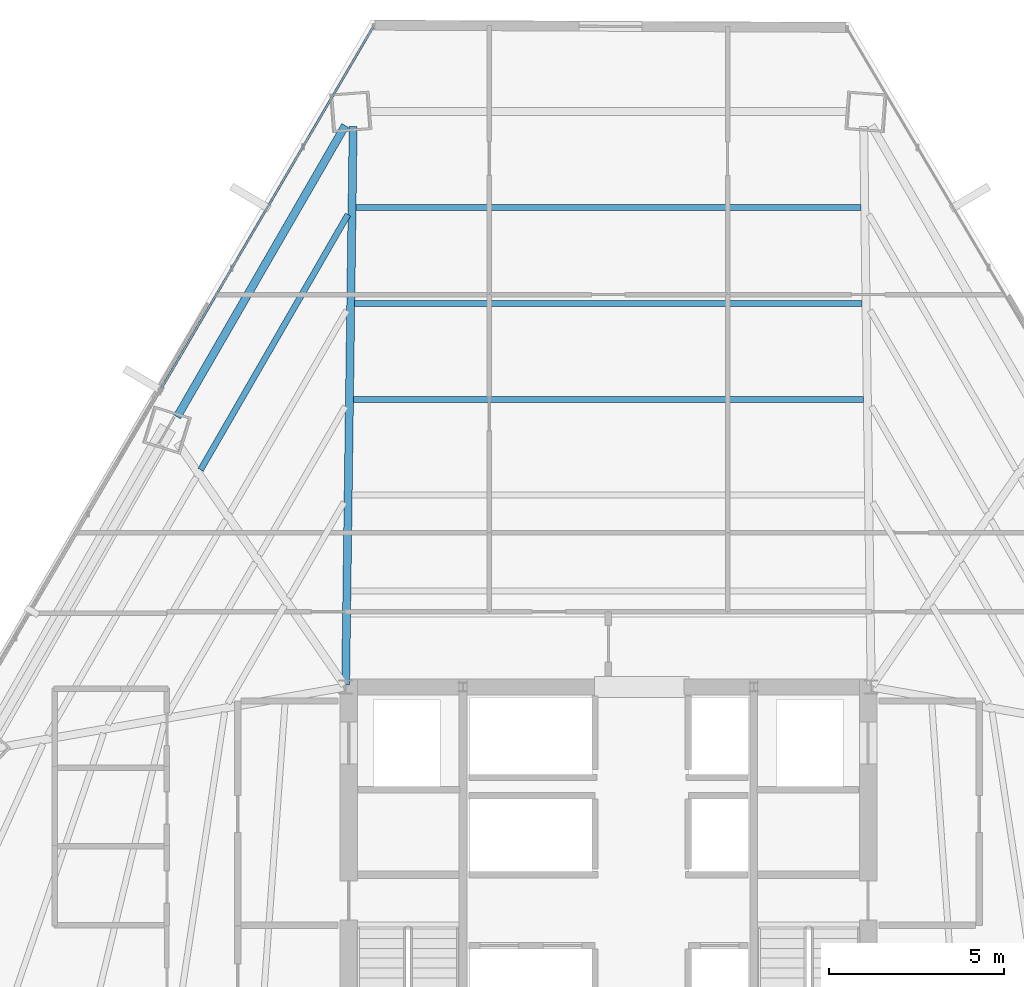
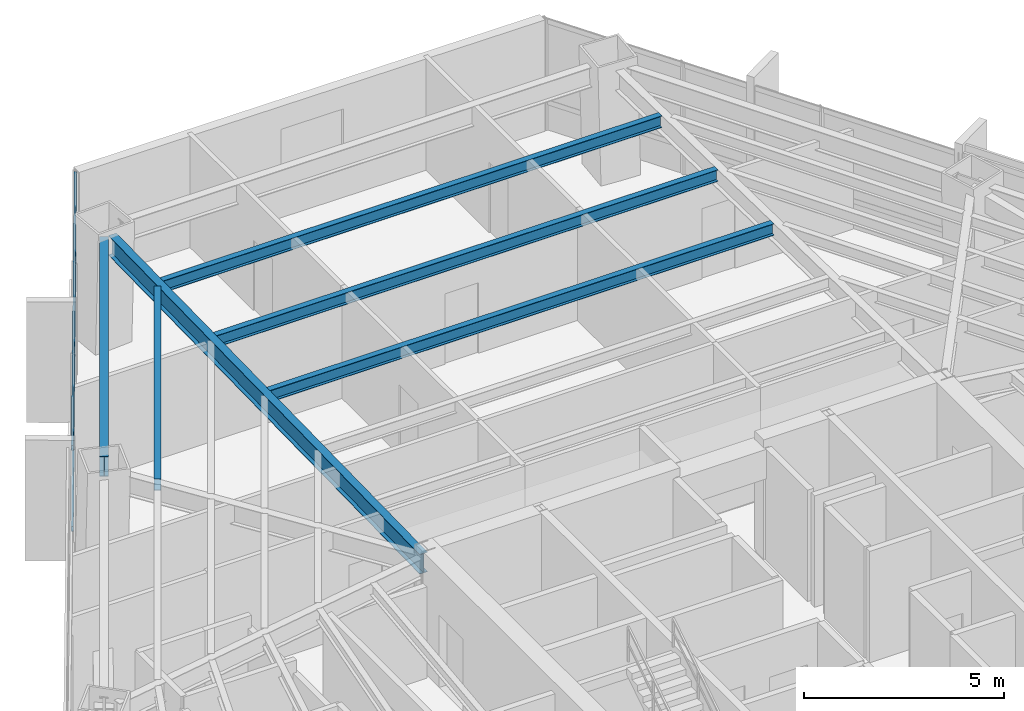
# One storey, part 24 of 35: 6 beams, 2 members, 1 element without a shape of its own.
"""IFC4 building model written with IfcOpenShell, lengths in metres."""

from ifc_helpers import new_model, si_unit, direction, frame, origin, origin_2d, place, context, subcontext, project, spatial, hollow_rectangle, i_section, extrude, source, transform, mapped, material, material_profile, profile_set, type_object, type_shapes, element, aggregate, save


model = new_model("IFC4")

# Units and contexts
model_context = context("Model", 3, precision=1e-05, world=origin(), true_north=direction((0.0, 1.0)))
body_context = subcontext(model_context, "Body", "Model", "MODEL_VIEW")
ifc_project = project(units=[si_unit("LENGTHUNIT", "METRE"), si_unit("AREAUNIT", "SQUARE_METRE"), si_unit("VOLUMEUNIT", "CUBIC_METRE"), si_unit("PLANEANGLEUNIT", "RADIAN"), si_unit("MASSUNIT", "GRAM", prefix="KILO")], contexts=[model_context])

# Site, building, storey
site_placement = place(None, origin())
site = spatial("IfcSite", under=ifc_project, at=site_placement, CompositionType="ELEMENT")
building_placement = place(site_placement, origin())
building = spatial("IfcBuilding", under=site, at=building_placement, Name="Caelisora Broadcast Tower", CompositionType="ELEMENT")
storey_placement = place(building_placement, frame((0.0, 0.0, 109.050048828125)))
storey = spatial("IfcBuildingStorey", under=building, at=storey_placement, Name="L28", CompositionType="ELEMENT", Elevation=109.050048828125)

# Beams
ifc_material_1 = material(Name="Steel Grade 350 (AS/NZS 3679.1)", Category="steel")
ifc_material_profile_1 = material_profile(ifc_material_1, i_section(OverallWidth=0.22900390625, OverallDepth=0.611572265625, WebThickness=0.011962890625, FlangeThickness=0.01953125, at=origin_2d()), Name="Steel Grade 350 (AS/NZS 3679.1)")
ifc_profile_set_1 = profile_set([ifc_material_profile_1], Name="Steel Grade 350 (AS/NZS 3679.1)")
beam_type_1 = type_object("IfcBeamType", Name="PG03", PredefinedType="BEAM", material=ifc_profile_set_1)
shared_shape_1 = source(origin(), body_context, "Body", "SweptSolid", [
    extrude(i_section(OverallWidth=0.22900390625, OverallDepth=0.611572265625, WebThickness=0.011962890625, FlangeThickness=0.01953125, at=origin_2d()), origin(), (0.0, 0.0, 1.0), 9.598876953125),
])
type_shapes(beam_type_1, [shared_shape_1])
beam_1_placement = place(storey_placement, frame((30.4912109375, 46.0234375, 3.09423828125), z_axis=(-0.499985184529, -0.866033957331, 0.0), x_axis=(0.866033957331, -0.499985184529, 0.0)))
element("IfcBeam", 1, at=beam_1_placement, inside=storey, type_object=beam_type_1, Name="L28 beam PG03", PredefinedType="BEAM", context=body_context, shape_type="MappedRepresentation", body=[
    mapped(shared_shape_1, transform((0.0, 0.0, 0.0), scale=1.0)),
])
ifc_material_profile_2 = material_profile(ifc_material_1, i_section(OverallWidth=0.22802734375, OverallDepth=0.602294921875, WebThickness=0.010498046875, FlangeThickness=0.014892578125, at=origin_2d()), Name="Steel Grade 350 (AS/NZS 3679.1)")
ifc_profile_set_2 = profile_set([ifc_material_profile_2], Name="Steel Grade 350 (AS/NZS 3679.1)")
beam_type_2 = type_object("IfcBeamType", Name="PG04", PredefinedType="BEAM", material=ifc_profile_set_2)
shared_shape_2 = source(origin(), body_context, "Body", "SweptSolid", [
    extrude(i_section(OverallWidth=0.22802734375, OverallDepth=0.602294921875, WebThickness=0.010498046875, FlangeThickness=0.014892578125, at=origin_2d()), origin(), (0.0, 0.0, 1.0), 15.943115234375),
])
type_shapes(beam_type_2, [shared_shape_2])
beam_2_placement = place(storey_placement, frame((30.500732421875, 30.06005859375, 3.098876953125), z_axis=(0.01347565884, 0.999909199187, 0.0), x_axis=(-0.999909199187, 0.01347565884, 0.0)))
element("IfcBeam", 2, at=beam_2_placement, inside=storey, type_object=beam_type_2, Name="L28 beam PG04", PredefinedType="BEAM", context=body_context, shape_type="MappedRepresentation", body=[
    mapped(shared_shape_2, transform((0.0, 0.0, 0.0), scale=1.0)),
])
ifc_material_profile_3 = material_profile(ifc_material_1, i_section(OverallWidth=0.172119140625, OverallDepth=0.358642578125, WebThickness=0.008056640625, FlangeThickness=0.012939453125, at=origin_2d()), Name="Steel Grade 350 (AS/NZS 3679.1)")
ifc_profile_set_3 = profile_set([ifc_material_profile_3], Name="Steel Grade 350 (AS/NZS 3679.1)")
beam_type_3 = type_object("IfcBeamType", Name="SB02", PredefinedType="JOIST", material=ifc_profile_set_3)
shared_shape_3 = source(origin(), body_context, "Body", "SweptSolid", [
    extrude(i_section(OverallWidth=0.172119140625, OverallDepth=0.358642578125, WebThickness=0.008056640625, FlangeThickness=0.012939453125, at=origin_2d()), origin(), (0.0, 0.0, 1.0), 14.556640625),
])
beam_3_placement = place(storey_placement, frame((45.2783203125, 38.2109375, 3.220703125), z_axis=(-1.0, 0.0, 0.0), x_axis=(0.0, -1.0, 0.0)))
element("IfcBeam", 3, at=beam_3_placement, inside=storey, type_object=beam_type_3, Name="L28 beam SB02", PredefinedType="JOIST", context=body_context, shape_type="MappedRepresentation", body=[
    mapped(shared_shape_3, transform((0.0, 0.0, 0.0), scale=1.0)),
])
shared_shape_4 = source(origin(), body_context, "Body", "SweptSolid", [
    extrude(i_section(OverallWidth=0.172119140625, OverallDepth=0.358642578125, WebThickness=0.008056640625, FlangeThickness=0.012939453125, at=origin_2d()), origin(), (0.0, 0.0, 1.0), 14.48291015625),
])
beam_4_placement = place(storey_placement, frame((45.241455078125, 40.947998046875, 3.220703125), z_axis=(-1.0, 0.0, 0.0), x_axis=(0.0, -1.0, 0.0)))
element("IfcBeam", 4, at=beam_4_placement, inside=storey, type_object=beam_type_3, Name="L28 beam SB02", PredefinedType="JOIST", context=body_context, shape_type="MappedRepresentation", body=[
    mapped(shared_shape_4, transform((0.0, 0.0, 0.0), scale=1.0)),
])
shared_shape_5 = source(origin(), body_context, "Body", "SweptSolid", [
    extrude(i_section(OverallWidth=0.172119140625, OverallDepth=0.358642578125, WebThickness=0.008056640625, FlangeThickness=0.012939453125, at=origin_2d()), origin(), (0.0, 0.0, 1.0), 14.4091796875),
])
beam_5_placement = place(storey_placement, frame((45.20458984375, 43.684814453125, 3.220703125), z_axis=(-1.0, 0.0, 0.0), x_axis=(0.0, -1.0, 0.0)))
element("IfcBeam", 5, at=beam_5_placement, inside=storey, type_object=beam_type_3, Name="L28 beam SB02", PredefinedType="JOIST", context=body_context, shape_type="MappedRepresentation", body=[
    mapped(shared_shape_5, transform((0.0, 0.0, 0.0), scale=1.0)),
])
shared_shape_6 = source(origin(), body_context, "Body", "SweptSolid", [
    extrude(i_section(OverallWidth=0.172119140625, OverallDepth=0.358642578125, WebThickness=0.008056640625, FlangeThickness=0.012939453125, at=origin_2d()), origin(), (0.0, 0.0, 1.0), 8.411865234375),
])
type_shapes(beam_type_3, [shared_shape_3, shared_shape_4, shared_shape_5, shared_shape_6])
beam_6_placement = place(storey_placement, frame((30.569091796875, 43.485107421875, 3.220703125), z_axis=(-0.500009693337, -0.866019807261, 0.0), x_axis=(0.866019807261, -0.500009693337, 0.0)))
element("IfcBeam", 6, at=beam_6_placement, inside=storey, type_object=beam_type_3, Name="L28 beam SB02", PredefinedType="JOIST", context=body_context, shape_type="MappedRepresentation", body=[
    mapped(shared_shape_6, transform((0.0, 0.0, 0.0), scale=1.0)),
])

# Curtain wall, members
ifc_material_2 = material(Name="Unitised Aluminium and Low-E Glass Curtain Wall", Category="glass")
curtain_wall_type = type_object("IfcCurtainWallType", Name="CW-Z2", PredefinedType="NOTDEFINED", material=ifc_material_2)
curtain_wall_placement = place(storey_placement, origin())
curtain_wall = element("IfcCurtainWall", 7, at=curtain_wall_placement, inside=storey, type_object=curtain_wall_type, Name="L28 curtain wall CW-Z2", PredefinedType="NOTDEFINED")
ifc_material_3 = material(Name="Aluminium 6063-T6 Anodised Terracotta Bronze", Category="aluminium")
ifc_material_profile_4 = material_profile(ifc_material_3, hollow_rectangle(XDim=0.06005859375, YDim=0.14990234375, WallThickness=0.00341796875, at=origin_2d()), Name="Aluminium 6063-T6 Anodised Terracotta Bronze")
ifc_profile_set_4 = profile_set([ifc_material_profile_4], Name="Aluminium 6063-T6 Anodised Terracotta Bronze")
member_type = type_object("IfcMemberType", Name="CWT-02", PredefinedType="USERDEFINED", material=ifc_profile_set_4)
shared_shape_7 = source(origin(), body_context, "Body", "SweptSolid", [
    extrude(hollow_rectangle(XDim=0.06005859375, YDim=0.14990234375, WallThickness=0.00341796875, at=origin_2d()), origin(), (0.0, 0.0, 1.0), 11.95703125),
])
type_shapes(member_type, [shared_shape_7])
member_1_placement = place(storey_placement, frame((25.245361328125, 38.526123046875, 0.849853515625), z_axis=(0.505507788213, 0.862822041939, 0.0), x_axis=(-0.862822041939, 0.505507788213, 0.0)))
member_1 = element("IfcMember", 8, at=member_1_placement, type_object=member_type, Name="L28-CW-B11 transom #1", ObjectType="TRANSOM", PredefinedType="USERDEFINED", context=body_context, shape_type="MappedRepresentation", body=[
    mapped(shared_shape_7, transform((0.0, 0.0, 0.0), scale=1.0)),
])
member_2_placement = place(storey_placement, frame((25.245361328125, 38.526123046875, 3.320068359375), z_axis=(0.505507788213, 0.862822041939, 0.0), x_axis=(-0.862822041939, 0.505507788213, 0.0)))
member_2 = element("IfcMember", 9, at=member_2_placement, type_object=member_type, Name="L28-CW-B11 transom #2", ObjectType="TRANSOM", PredefinedType="USERDEFINED", context=body_context, shape_type="MappedRepresentation", body=[
    mapped(shared_shape_7, transform((0.0, 0.0, 0.0), scale=1.0)),
])
aggregate(curtain_wall, [member_1, member_2])

save(model, "model.ifc")
